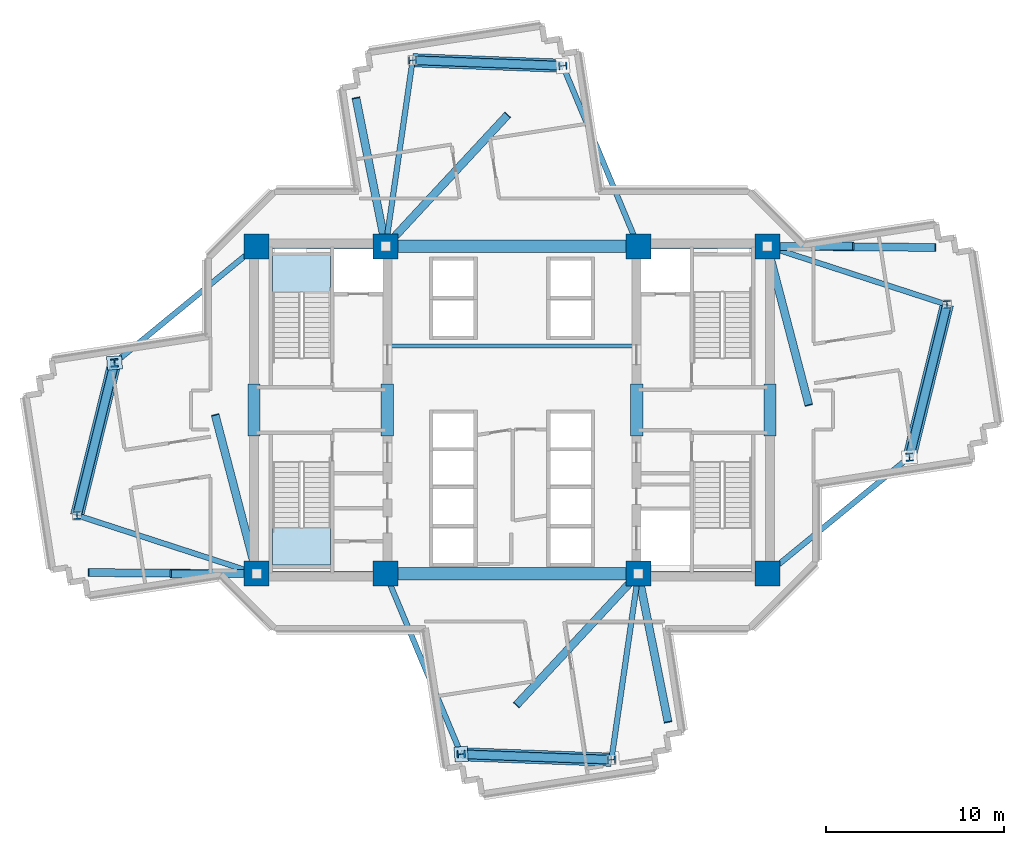
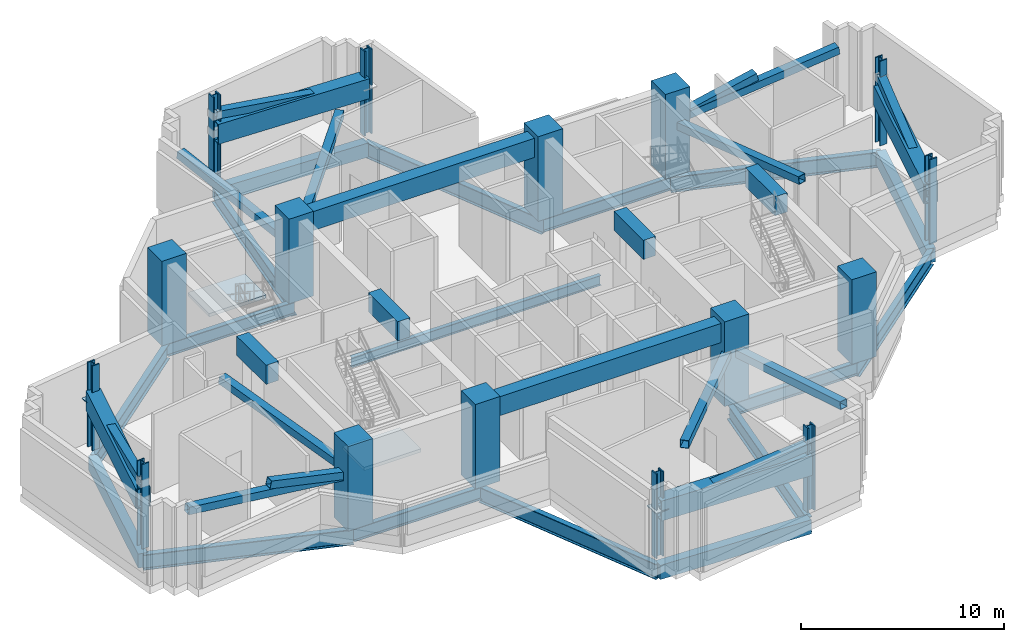
# One storey, part 1 of 10: 23 beams, 18 members, 16 columns, 2 plates, 2 slabs, 2 elements without a shape of their own.
"""IFC4 building model written with IfcOpenShell, lengths in metres."""

from ifc_helpers import new_model, si_unit, direction, frame, origin, origin_2d, place, context, subcontext, project, spatial, polyline, rectangle, hollow_rectangle, i_section, outline, extrude, source, transform, mapped, material, layer, layer_set, material_profile, profile_set, type_object, element, aggregate, save


model = new_model("IFC4")

# Units and contexts
model_context = context("Model", 3, precision=1e-05, world=origin(), true_north=direction((0.0, 1.0)))
body_context = subcontext(model_context, "Body", "Model", "MODEL_VIEW")
ifc_project = project(units=[si_unit("LENGTHUNIT", "METRE"), si_unit("AREAUNIT", "SQUARE_METRE"), si_unit("VOLUMEUNIT", "CUBIC_METRE"), si_unit("PLANEANGLEUNIT", "RADIAN"), si_unit("MASSUNIT", "GRAM", prefix="KILO")], contexts=[model_context])

# Site, building, storey
site_placement = place(None, origin())
site = spatial("IfcSite", under=ifc_project, at=site_placement, CompositionType="ELEMENT")
building_placement = place(site_placement, origin())
building = spatial("IfcBuilding", under=site, at=building_placement, Name="Zahravan Cultural Tower", CompositionType="ELEMENT")
storey_placement = place(building_placement, frame((0.0, 0.0, 125.699951171875)))
storey = spatial("IfcBuildingStorey", under=building, at=storey_placement, Name="L28", CompositionType="ELEMENT", Elevation=125.699951171875)

# Columns
ifc_material_1 = material(Name="Concrete C60/75", Category="concrete")
ifc_material_profile_1 = material_profile(ifc_material_1, rectangle(XDim=1.39990234375, YDim=1.39990234375, at=origin_2d()), Name="RC1400X1400")
ifc_profile_set_1 = profile_set([ifc_material_profile_1], Name="Concrete C60/75")
column_type_1 = type_object("IfcColumnType", Name="COL-RC1400", PredefinedType="COLUMN", material=ifc_profile_set_1)
shared_shape_1 = source(origin(), body_context, "Body", "SweptSolid", [
    extrude(rectangle(XDim=1.39990234375, YDim=1.39990234375, at=origin_2d()), origin(), (0.0, 0.0, 1.0), 5.10009765625),
])
for number, where, z_axis, x_axis, name in (
    (1, (21.64990234375, 17.800048828125, 0.0), (0.0, 0.0, 1.0), (1.0, 0.0, 0.0), "L28 Column CC-W1"),
    (2, (28.89990234375, 17.800048828125, 0.0), (0.0, 0.0, 1.0), (1.0, 0.0, 0.0), "L28 Column CC-W2"),
    (3, (21.64990234375, 36.199951171875, 0.0), (0.0, 0.0, 1.0), (1.0, 0.0, 0.0), "L28 Column CC-W3"),
    (4, (28.89990234375, 36.199951171875, 0.0), (0.0, 0.0, 1.0), (1.0, 0.0, 0.0), "L28 Column CC-W4"),
    (5, (43.10009765625, 17.800048828125, 0.0), (0.0, 0.0, 1.0), (1.0, 0.0, 0.0), "L28 Column CC-E1"),
    (6, (50.35009765625, 17.800048828125, 0.0), (0.0, 0.0, 1.0), (1.0, 0.0, 0.0), "L28 Column CC-E2"),
    (7, (43.10009765625, 36.199951171875, 0.0), (0.0, 0.0, 1.0), (1.0, 0.0, 0.0), "L28 Column CC-E3"),
    (8, (50.35009765625, 36.199951171875, 0.0), (0.0, 0.0, 1.0), (1.0, 0.0, 0.0), "L28 Column CC-E4"),
):
    element("IfcColumn", number, at=place(storey_placement, frame(where, z_axis=z_axis, x_axis=x_axis)), inside=storey, type_object=column_type_1, Name=name, PredefinedType="COLUMN", context=body_context, shape_type="MappedRepresentation", body=[
        mapped(shared_shape_1, transform((0.0, 0.0, 0.0), x_axis=(1.0, 0.0, 0.0), y_axis=(0.0, 1.0, 0.0), z_axis=(0.0, 0.0, 1.0), scale=1.0)),
    ])
ifc_material_2 = material(Name="Steel ASTM A992 Grade 50", Category="steel")
ifc_material_profile_2 = material_profile(ifc_material_2, i_section(OverallWidth=0.4208984375, OverallDepth=0.465087890625, WebThickness=0.044921875, FlangeThickness=0.072509765625, FilletRadius=0.01806640625, at=origin_2d()), Name="W14X398")
ifc_profile_set_2 = profile_set([ifc_material_profile_2], Name="Steel ASTM A992 Grade 50")
column_type_2 = type_object("IfcColumnType", Name="COL-W14X398", PredefinedType="COLUMN", material=ifc_profile_set_2)
shared_shape_2 = source(origin(), body_context, "Body", "SweptSolid", [
    extrude(i_section(OverallWidth=0.4208984375, OverallDepth=0.465087890625, WebThickness=0.044921875, FlangeThickness=0.072509765625, FilletRadius=0.01806640625, at=origin_2d()), origin(), (0.0, 0.0, 1.0), 5.10009765625),
])
for number, where, z_axis, x_axis, name in (
    (9, (58.339111328125, 24.351806640625, 0.0), (0.0, 0.0, 1.0), (0.99756405026, 0.069756473744, 0.0), "L28 Column Z1C-E1"),
    (10, (60.446533203125, 32.919677734375, 0.0), (0.0, 0.0, 1.0), (0.99756405026, 0.069756473744, 0.0), "L28 Column Z1C-E2"),
    (11, (38.857421875, 46.346435546875, 0.0), (0.0, 0.0, 1.0), (-0.069756473744, 0.99756405026, 0.0), "L28 Column Z1C-N1"),
    (12, (30.4150390625, 46.658203125, 0.0), (0.0, 0.0, 1.0), (-0.069756473744, 0.99756405026, 0.0), "L28 Column Z1C-N2"),
    (13, (13.660888671875, 29.648193359375, 0.0), (0.0, 0.0, 1.0), (0.99756405026, 0.069756473744, 0.0), "L28 Column Z1C-W1"),
    (14, (11.553466796875, 21.080322265625, 0.0), (0.0, 0.0, 1.0), (0.99756405026, 0.069756473744, 0.0), "L28 Column Z1C-W2"),
    (15, (33.142578125, 7.653564453125, 0.0), (0.0, 0.0, 1.0), (-0.069756473744, 0.99756405026, 0.0), "L28 Column Z1C-S1"),
    (16, (41.5849609375, 7.341796875, 0.0), (0.0, 0.0, 1.0), (-0.069756473744, 0.99756405026, 0.0), "L28 Column Z1C-S2"),
):
    element("IfcColumn", number, at=place(storey_placement, frame(where, z_axis=z_axis, x_axis=x_axis)), inside=storey, type_object=column_type_2, Name=name, PredefinedType="COLUMN", context=body_context, shape_type="MappedRepresentation", body=[
        mapped(shared_shape_2, transform((0.0, 0.0, 0.0), x_axis=(1.0, 0.0, 0.0), y_axis=(0.0, 1.0, 0.0), z_axis=(0.0, 0.0, 1.0), scale=1.0)),
    ])

# Beams
ifc_material_3 = material(Name="Concrete C50/60", Category="concrete")
ifc_material_profile_3 = material_profile(ifc_material_3, rectangle(XDim=0.699951171875, YDim=1.14990234375, at=origin_2d()), Name="RC700X1150")
ifc_profile_set_3 = profile_set([ifc_material_profile_3], Name="Concrete C50/60")
beam_type_1 = type_object("IfcBeamType", Name="BM-LN-RC700X1150", PredefinedType="LINTEL", material=ifc_profile_set_3)
shared_shape_3 = source(origin(), body_context, "Body", "SweptSolid", [
    extrude(rectangle(XDim=0.699951171875, YDim=1.14990234375, at=origin_2d()), origin(), (0.0, 0.0, 1.0), 14.2001953125),
])
for number, where, z_axis, x_axis, name in (
    (17, (28.89990234375, 17.800048828125, 4.22509765625), (1.0, 0.0, 0.0), (0.0, 1.0, 0.0), "L28 Beam LN-L28-S"),
    (18, (28.89990234375, 36.199951171875, 4.22509765625), (1.0, 0.0, 0.0), (0.0, 1.0, 0.0), "L28 Beam LN-L28-N"),
):
    element("IfcBeam", number, at=place(storey_placement, frame(where, z_axis=z_axis, x_axis=x_axis)), inside=storey, type_object=beam_type_1, Name=name, PredefinedType="LINTEL", context=body_context, shape_type="MappedRepresentation", body=[
        mapped(shared_shape_3, transform((0.0, 0.0, 0.0), x_axis=(1.0, 0.0, 0.0), y_axis=(0.0, 1.0, 0.0), z_axis=(0.0, 0.0, 1.0), scale=1.0)),
    ])
shared_shape_4 = source(origin(), body_context, "Body", "SweptSolid", [
    extrude(rectangle(XDim=0.699951171875, YDim=1.14990234375, at=origin_2d()), origin(), (0.0, 0.0, 1.0), 2.89990234375),
])
for number, where, z_axis, x_axis, name in (
    (19, (21.5, 25.550048828125, 4.22509765625), (0.0, 1.0, 0.0), (-1.0, 0.0, 0.0), "L28 Beam LN-L28-PWW"),
    (20, (29.0, 25.550048828125, 4.22509765625), (0.0, 1.0, 0.0), (-1.0, 0.0, 0.0), "L28 Beam LN-L28-PWE"),
    (21, (43.0, 25.550048828125, 4.22509765625), (0.0, 1.0, 0.0), (-1.0, 0.0, 0.0), "L28 Beam LN-L28-PEW"),
    (22, (50.5, 25.550048828125, 4.22509765625), (0.0, 1.0, 0.0), (-1.0, 0.0, 0.0), "L28 Beam LN-L28-PEE"),
):
    element("IfcBeam", number, at=place(storey_placement, frame(where, z_axis=z_axis, x_axis=x_axis)), inside=storey, type_object=beam_type_1, Name=name, PredefinedType="LINTEL", context=body_context, shape_type="MappedRepresentation", body=[
        mapped(shared_shape_4, transform((0.0, 0.0, 0.0), x_axis=(1.0, 0.0, 0.0), y_axis=(0.0, 1.0, 0.0), z_axis=(0.0, 0.0, 1.0), scale=1.0)),
    ])
ifc_material_profile_4 = material_profile(ifc_material_2, i_section(OverallWidth=0.26611328125, OverallDepth=0.780029296875, WebThickness=0.0166015625, FlangeThickness=0.030029296875, FilletRadius=0.01904296875, at=origin_2d()), Name="W30X148")
ifc_profile_set_4 = profile_set([ifc_material_profile_4], Name="Steel ASTM A992 Grade 50")
beam_type_2 = type_object("IfcBeamType", Name="BM-G-W30X148", PredefinedType="BEAM", material=ifc_profile_set_4)
shared_shape_5 = source(origin(), body_context, "Body", "SweptSolid", [
    extrude(i_section(OverallWidth=0.26611328125, OverallDepth=0.780029296875, WebThickness=0.0166015625, FlangeThickness=0.030029296875, FilletRadius=0.01904296875, at=origin_2d()), origin(), (0.0, 0.0, 1.0), 7.25),
])
for number, where, z_axis, x_axis, name in (
    (23, (21.64990234375, 17.800048828125, -0.83984375), (1.0, 0.0, 0.0), (0.0, 1.0, 0.0), "L28 Beam BG-L28-01"),
    (24, (21.64990234375, 36.199951171875, -0.83984375), (1.0, 0.0, 0.0), (0.0, 1.0, 0.0), "L28 Beam BG-L28-02"),
    (25, (43.10009765625, 17.800048828125, -0.83984375), (1.0, 0.0, 0.0), (0.0, 1.0, 0.0), "L28 Beam BG-L28-04"),
    (26, (43.10009765625, 36.199951171875, -0.83984375), (1.0, 0.0, 0.0), (0.0, 1.0, 0.0), "L28 Beam BG-L28-05"),
):
    element("IfcBeam", number, at=place(storey_placement, frame(where, z_axis=z_axis, x_axis=x_axis)), inside=storey, type_object=beam_type_2, Name=name, PredefinedType="BEAM", context=body_context, shape_type="MappedRepresentation", body=[
        mapped(shared_shape_5, transform((0.0, 0.0, 0.0), x_axis=(1.0, 0.0, 0.0), y_axis=(0.0, 1.0, 0.0), z_axis=(0.0, 0.0, 1.0), scale=1.0)),
    ])
ifc_material_profile_5 = material_profile(ifc_material_2, i_section(OverallWidth=0.30908203125, OverallDepth=0.931884765625, WebThickness=0.02099609375, FlangeThickness=0.034423828125, FilletRadius=0.02392578125, at=origin_2d()), Name="W36X210")
ifc_profile_set_5 = profile_set([ifc_material_profile_5], Name="Steel ASTM A992 Grade 50")
beam_type_3 = type_object("IfcBeamType", Name="BM-G-W36X210", PredefinedType="BEAM", material=ifc_profile_set_5)
shared_shape_6 = source(origin(), body_context, "Body", "SweptSolid", [
    extrude(i_section(OverallWidth=0.30908203125, OverallDepth=0.931884765625, WebThickness=0.02099609375, FlangeThickness=0.034423828125, FilletRadius=0.02392578125, at=origin_2d()), origin(), (0.0, 0.0, 1.0), 10.615966796875),
])
for number, where, z_axis, x_axis, name in (
    (27, (21.64990234375, 17.800048828125, -0.916015625), (-0.951063640083, 0.30899506875, 0.0), (-0.30899506875, -0.951063640083, 0.0), "L28 Beam BG-L28-07"),
    (28, (50.35009765625, 36.199951171875, -0.916015625), (0.951063640083, -0.30899506875, 0.0), (0.30899506875, 0.951063640083, 0.0), "L28 Beam BG-L28-11"),
):
    element("IfcBeam", number, at=place(storey_placement, frame(where, z_axis=z_axis, x_axis=x_axis)), inside=storey, type_object=beam_type_3, Name=name, PredefinedType="BEAM", context=body_context, shape_type="MappedRepresentation", body=[
        mapped(shared_shape_6, transform((0.0, 0.0, 0.0), x_axis=(1.0, 0.0, 0.0), y_axis=(0.0, 1.0, 0.0), z_axis=(0.0, 0.0, 1.0), scale=1.0)),
    ])
shared_shape_7 = source(origin(), body_context, "Body", "SweptSolid", [
    extrude(i_section(OverallWidth=0.30908203125, OverallDepth=0.931884765625, WebThickness=0.02099609375, FlangeThickness=0.034423828125, FilletRadius=0.02392578125, at=origin_2d()), origin(), (0.0, 0.0, 1.0), 10.997802734375),
])
for number, where, z_axis, x_axis, name in (
    (29, (28.89990234375, 17.800048828125, -0.916015625), (0.385775211449, -0.922592806297, 0.0), (0.922592806297, 0.385775211449, 0.0), "L28 Beam BG-L28-08"),
    (30, (43.10009765625, 36.199951171875, -0.916015625), (-0.385775211449, 0.922592806297, 0.0), (-0.922592806297, -0.385775211449, 0.0), "L28 Beam BG-L28-12"),
):
    element("IfcBeam", number, at=place(storey_placement, frame(where, z_axis=z_axis, x_axis=x_axis)), inside=storey, type_object=beam_type_3, Name=name, PredefinedType="BEAM", context=body_context, shape_type="MappedRepresentation", body=[
        mapped(shared_shape_7, transform((0.0, 0.0, 0.0), x_axis=(1.0, 0.0, 0.0), y_axis=(0.0, 1.0, 0.0), z_axis=(0.0, 0.0, 1.0), scale=1.0)),
    ])
shared_shape_8 = source(origin(), body_context, "Body", "SweptSolid", [
    extrude(i_section(OverallWidth=0.30908203125, OverallDepth=0.931884765625, WebThickness=0.02099609375, FlangeThickness=0.034423828125, FilletRadius=0.02392578125, at=origin_2d()), origin(), (0.0, 0.0, 1.0), 10.5673828125),
])
for number, where, z_axis, x_axis, name in (
    (31, (43.10009765625, 17.800048828125, -0.916015625), (-0.143377913539, -0.989668011966, 0.0), (0.989668011966, -0.143377913539, 0.0), "L28 Beam BG-L28-09"),
    (32, (28.89990234375, 36.199951171875, -0.916015625), (0.143377913539, 0.989668011966, 0.0), (-0.989668011966, 0.143377913539, 0.0), "L28 Beam BG-L28-13"),
):
    element("IfcBeam", number, at=place(storey_placement, frame(where, z_axis=z_axis, x_axis=x_axis)), inside=storey, type_object=beam_type_3, Name=name, PredefinedType="BEAM", context=body_context, shape_type="MappedRepresentation", body=[
        mapped(shared_shape_8, transform((0.0, 0.0, 0.0), x_axis=(1.0, 0.0, 0.0), y_axis=(0.0, 1.0, 0.0), z_axis=(0.0, 0.0, 1.0), scale=1.0)),
    ])
shared_shape_9 = source(origin(), body_context, "Body", "SweptSolid", [
    extrude(i_section(OverallWidth=0.30908203125, OverallDepth=0.931884765625, WebThickness=0.02099609375, FlangeThickness=0.034423828125, FilletRadius=0.02392578125, at=origin_2d()), origin(), (0.0, 0.0, 1.0), 10.33203125),
])
for number, where, z_axis, x_axis, name in (
    (33, (50.35009765625, 17.800048828125, -0.916015625), (0.773231409473, 0.634123952713, 0.0), (-0.634123952713, 0.773231409473, 0.0), "L28 Beam BG-L28-10"),
    (34, (21.64990234375, 36.199951171875, -0.916015625), (-0.773231409473, -0.634123952713, 0.0), (0.634123952713, -0.773231409473, 0.0), "L28 Beam BG-L28-14"),
):
    element("IfcBeam", number, at=place(storey_placement, frame(where, z_axis=z_axis, x_axis=x_axis)), inside=storey, type_object=beam_type_3, Name=name, PredefinedType="BEAM", context=body_context, shape_type="MappedRepresentation", body=[
        mapped(shared_shape_9, transform((0.0, 0.0, 0.0), x_axis=(1.0, 0.0, 0.0), y_axis=(0.0, 1.0, 0.0), z_axis=(0.0, 0.0, 1.0), scale=1.0)),
    ])
ifc_material_profile_6 = material_profile(ifc_material_3, rectangle(XDim=0.5, YDim=0.85009765625, at=origin_2d()), Name="RC500X850")
ifc_profile_set_6 = profile_set([ifc_material_profile_6], Name="Concrete C50/60")
beam_type_4 = type_object("IfcBeamType", Name="BM-SP-RC500X850", PredefinedType="SPANDREL", material=ifc_profile_set_6)
shared_shape_10 = source(origin(), body_context, "Body", "SweptSolid", [
    extrude(rectangle(XDim=0.5, YDim=0.85009765625, at=origin_2d()), origin(), (0.0, 0.0, 1.0), 8.4482421875),
])
for number, where, z_axis, x_axis, name in (
    (35, (33.142578125, 7.653564453125, -0.875), (0.999318826256, -0.036903705643, 0.0), (0.036903705643, 0.999318826256, 0.0), "L28 Beam SP-L28-15"),
    (36, (38.857421875, 46.346435546875, -0.875), (-0.999318826256, 0.036903705643, 0.0), (-0.036903705643, -0.999318826256, 0.0), "L28 Beam SP-L28-17"),
):
    element("IfcBeam", number, at=place(storey_placement, frame(where, z_axis=z_axis, x_axis=x_axis)), inside=storey, type_object=beam_type_4, Name=name, PredefinedType="SPANDREL", context=body_context, shape_type="MappedRepresentation", body=[
        mapped(shared_shape_10, transform((0.0, 0.0, 0.0), x_axis=(1.0, 0.0, 0.0), y_axis=(0.0, 1.0, 0.0), z_axis=(0.0, 0.0, 1.0), scale=1.0)),
    ])
shared_shape_11 = source(origin(), body_context, "Body", "SweptSolid", [
    extrude(rectangle(XDim=0.5, YDim=0.85009765625, at=origin_2d()), origin(), (0.0, 0.0, 1.0), 8.8232421875),
])
for number, where, z_axis, x_axis, name in (
    (37, (58.339111328125, 24.351806640625, -0.875), (0.238848860516, 0.971056755206, 0.0), (-0.971056755206, 0.238848860516, 0.0), "L28 Beam SP-L28-16"),
    (38, (13.660888671875, 29.648193359375, -0.875), (-0.238848860516, -0.971056755206, 0.0), (0.971056755206, -0.238848860516, 0.0), "L28 Beam SP-L28-18"),
):
    element("IfcBeam", number, at=place(storey_placement, frame(where, z_axis=z_axis, x_axis=x_axis)), inside=storey, type_object=beam_type_4, Name=name, PredefinedType="SPANDREL", context=body_context, shape_type="MappedRepresentation", body=[
        mapped(shared_shape_11, transform((0.0, 0.0, 0.0), x_axis=(1.0, 0.0, 0.0), y_axis=(0.0, 1.0, 0.0), z_axis=(0.0, 0.0, 1.0), scale=1.0)),
    ])
ifc_material_profile_7 = material_profile(ifc_material_2, i_section(OverallWidth=0.22802734375, OverallDepth=0.60302734375, WebThickness=0.010498046875, FlangeThickness=0.014892578125, FilletRadius=0.014892578125, at=origin_2d()), Name="W24X68")
ifc_profile_set_7 = profile_set([ifc_material_profile_7], Name="Steel ASTM A992 Grade 50")
beam_type_5 = type_object("IfcBeamType", Name="BM-J-W24X68", PredefinedType="JOIST", material=ifc_profile_set_7)
shared_shape_12 = source(origin(), body_context, "Body", "SweptSolid", [
    extrude(i_section(OverallWidth=0.22802734375, OverallDepth=0.60302734375, WebThickness=0.010498046875, FlangeThickness=0.014892578125, FilletRadius=0.014892578125, at=origin_2d()), origin(), (0.0, 0.0, 1.0), 14.2001953125),
])
beam_placement = place(storey_placement, frame((28.89990234375, 30.60009765625, -0.75146484375), z_axis=(1.0, 0.0, 0.0), x_axis=(0.0, 1.0, 0.0)))
element("IfcBeam", 39, at=beam_placement, inside=storey, type_object=beam_type_5, Name="L28 Beam BJ-L28-19", PredefinedType="JOIST", context=body_context, shape_type="MappedRepresentation", body=[
    mapped(shared_shape_12, transform((0.0, 0.0, 0.0), x_axis=(1.0, 0.0, 0.0), y_axis=(0.0, 1.0, 0.0), z_axis=(0.0, 0.0, 1.0), scale=1.0)),
])

# Members
ifc_material_4 = material(Name="Steel ASTM A572 Grade 50", Category="steel")
ifc_material_profile_8 = material_profile(ifc_material_4, hollow_rectangle(XDim=0.449951171875, YDim=0.449951171875, WallThickness=0.02197265625, at=origin_2d()), Name="HSS450X450X22")
ifc_profile_set_8 = profile_set([ifc_material_profile_8], Name="Steel ASTM A572 Grade 50")
member_type_1 = type_object("IfcMemberType", Name="MB-BR-HSS450", PredefinedType="BRACE", material=ifc_profile_set_8)
shared_shape_13 = source(origin(), body_context, "Body", "SweptSolid", [
    extrude(hollow_rectangle(XDim=0.449951171875, YDim=0.449951171875, WallThickness=0.02197265625, at=origin_2d()), origin(), (0.0, 0.0, 1.0), 8.51318359375),
])
for number, where, z_axis, x_axis, name in (
    (40, (33.142578125, 7.653564453125, 2.900146484375), (0.991691458031, -0.036622035625, 0.123316173208), (0.036903705643, 0.999318826256, 0.0), "L28 Belt Truss Diagonal 01"),
    (41, (38.857421875, 46.346435546875, 2.900146484375), (-0.991691458031, 0.036622035625, 0.123316173208), (-0.036903705643, -0.999318826256, 0.0), "L28 Belt Truss Diagonal 03"),
):
    element("IfcMember", number, at=place(storey_placement, frame(where, z_axis=z_axis, x_axis=x_axis)), inside=storey, type_object=member_type_1, Name=name, PredefinedType="BRACE", context=body_context, shape_type="MappedRepresentation", body=[
        mapped(shared_shape_13, transform((0.0, 0.0, 0.0), x_axis=(1.0, 0.0, 0.0), y_axis=(0.0, 1.0, 0.0), z_axis=(0.0, 0.0, 1.0), scale=1.0)),
    ])
ifc_material_profile_9 = material_profile(ifc_material_4, hollow_rectangle(XDim=0.75, YDim=1.199951171875, WallThickness=0.050048828125, at=origin_2d()), Name="BOX1200X750X50")
ifc_profile_set_9 = profile_set([ifc_material_profile_9], Name="Steel ASTM A572 Grade 50")
member_type_2 = type_object("IfcMemberType", Name="MB-CH-BOX1200", PredefinedType="CHORD", material=ifc_profile_set_9)
shared_shape_14 = source(origin(), body_context, "Body", "SweptSolid", [
    extrude(hollow_rectangle(XDim=0.75, YDim=1.199951171875, WallThickness=0.050048828125, at=origin_2d()), origin(), (0.0, 0.0, 1.0), 8.4482421875),
])
for number, where, z_axis, x_axis, name in (
    (42, (33.142578125, 7.653564453125, 2.900146484375), (0.999318826256, -0.036903705643, 0.0), (0.036903705643, 0.999318826256, 0.0), "L28 Belt Truss Bottom Chord 01"),
    (43, (38.857421875, 46.346435546875, 2.900146484375), (-0.999318826256, 0.036903705643, 0.0), (-0.036903705643, -0.999318826256, 0.0), "L28 Belt Truss Bottom Chord 03"),
):
    element("IfcMember", number, at=place(storey_placement, frame(where, z_axis=z_axis, x_axis=x_axis)), inside=storey, type_object=member_type_2, Name=name, PredefinedType="CHORD", context=body_context, shape_type="MappedRepresentation", body=[
        mapped(shared_shape_14, transform((0.0, 0.0, 0.0), x_axis=(1.0, 0.0, 0.0), y_axis=(0.0, 1.0, 0.0), z_axis=(0.0, 0.0, 1.0), scale=1.0)),
    ])
shared_shape_15 = source(origin(), body_context, "Body", "SweptSolid", [
    extrude(hollow_rectangle(XDim=0.449951171875, YDim=0.449951171875, WallThickness=0.02197265625, at=origin_2d()), origin(), (0.0, 0.0, 1.0), 8.885498046875),
])
for number, where, z_axis, x_axis, name in (
    (44, (58.339111328125, 24.351806640625, 2.900146484375), (0.237175952314, 0.964255429854, 0.118148354373), (-0.971056755206, 0.238848860516, 0.0), "L28 Belt Truss Diagonal 02"),
    (45, (13.660888671875, 29.648193359375, 2.900146484375), (-0.237175952314, -0.964255429854, 0.118148354373), (0.971056755206, -0.238848860516, 0.0), "L28 Belt Truss Diagonal 04"),
):
    element("IfcMember", number, at=place(storey_placement, frame(where, z_axis=z_axis, x_axis=x_axis)), inside=storey, type_object=member_type_1, Name=name, PredefinedType="BRACE", context=body_context, shape_type="MappedRepresentation", body=[
        mapped(shared_shape_15, transform((0.0, 0.0, 0.0), x_axis=(1.0, 0.0, 0.0), y_axis=(0.0, 1.0, 0.0), z_axis=(0.0, 0.0, 1.0), scale=1.0)),
    ])
shared_shape_16 = source(origin(), body_context, "Body", "SweptSolid", [
    extrude(hollow_rectangle(XDim=0.75, YDim=1.199951171875, WallThickness=0.050048828125, at=origin_2d()), origin(), (0.0, 0.0, 1.0), 8.8232421875),
])
for number, where, z_axis, x_axis, name in (
    (46, (58.339111328125, 24.351806640625, 2.900146484375), (0.238848860516, 0.971056755206, 0.0), (-0.971056755206, 0.238848860516, 0.0), "L28 Belt Truss Bottom Chord 02"),
    (47, (13.660888671875, 29.648193359375, 2.900146484375), (-0.238848860516, -0.971056755206, 0.0), (0.971056755206, -0.238848860516, 0.0), "L28 Belt Truss Bottom Chord 04"),
):
    element("IfcMember", number, at=place(storey_placement, frame(where, z_axis=z_axis, x_axis=x_axis)), inside=storey, type_object=member_type_2, Name=name, PredefinedType="CHORD", context=body_context, shape_type="MappedRepresentation", body=[
        mapped(shared_shape_16, transform((0.0, 0.0, 0.0), x_axis=(1.0, 0.0, 0.0), y_axis=(0.0, 1.0, 0.0), z_axis=(0.0, 0.0, 1.0), scale=1.0)),
    ])
shared_shape_17 = source(origin(), body_context, "Body", "SweptSolid", [
    extrude(hollow_rectangle(XDim=0.449951171875, YDim=0.449951171875, WallThickness=0.02197265625, at=origin_2d()), origin(), (0.0, 0.0, 1.0), 9.28857421875),
])
for number, where, z_axis, x_axis, name in (
    (48, (50.35009765625, 36.199951171875, 2.900146484375), (0.251302017209, -0.961287383681, 0.113021511766), (0.967486513682, 0.252922608408, 0.0), "L28 Outrigger Diagonal 05"),
    (49, (21.64990234375, 17.800048828125, 2.900146484375), (-0.251302017209, 0.961287383681, 0.113021511766), (-0.967486513682, -0.252922608408, 0.0), "L28 Outrigger Diagonal 09"),
):
    element("IfcMember", number, at=place(storey_placement, frame(where, z_axis=z_axis, x_axis=x_axis)), inside=storey, type_object=member_type_1, Name=name, PredefinedType="BRACE", context=body_context, shape_type="MappedRepresentation", body=[
        mapped(shared_shape_17, transform((0.0, 0.0, 0.0), x_axis=(1.0, 0.0, 0.0), y_axis=(0.0, 1.0, 0.0), z_axis=(0.0, 0.0, 1.0), scale=1.0)),
    ])
shared_shape_18 = source(origin(), body_context, "Body", "SweptSolid", [
    extrude(hollow_rectangle(XDim=0.449951171875, YDim=0.449951171875, WallThickness=0.02197265625, at=origin_2d()), origin(), (0.0, 0.0, 1.0), 4.947265625),
])
for number, where, z_axis, x_axis, name in (
    (50, (50.35009765625, 36.199951171875, 2.900146484375), (0.977226809881, 0.001233685313, 0.212193873781), (-0.001262433979, 0.99999920313, 0.0), "L28 Outrigger Diagonal 06"),
    (51, (21.64990234375, 17.800048828125, 2.900146484375), (-0.977226809881, -0.001233685313, 0.212193873781), (0.001262433979, -0.99999920313, 0.0), "L28 Outrigger Diagonal 10"),
):
    element("IfcMember", number, at=place(storey_placement, frame(where, z_axis=z_axis, x_axis=x_axis)), inside=storey, type_object=member_type_1, Name=name, PredefinedType="BRACE", context=body_context, shape_type="MappedRepresentation", body=[
        mapped(shared_shape_18, transform((0.0, 0.0, 0.0), x_axis=(1.0, 0.0, 0.0), y_axis=(0.0, 1.0, 0.0), z_axis=(0.0, 0.0, 1.0), scale=1.0)),
    ])
shared_shape_19 = source(origin(), body_context, "Body", "SweptSolid", [
    extrude(hollow_rectangle(XDim=0.449951171875, YDim=0.449951171875, WallThickness=0.02197265625, at=origin_2d()), origin(), (0.0, 0.0, 1.0), 10.132568359375),
])
for number, where, z_axis, x_axis, name in (
    (52, (28.89990234375, 36.199951171875, 2.900146484375), (0.676509923759, 0.729108889587, 0.10360767433), (-0.733054007938, 0.680170435587, 0.0), "L28 Outrigger Diagonal 07"),
    (53, (43.10009765625, 17.800048828125, 2.900146484375), (-0.676509923759, -0.729108889587, 0.10360767433), (0.733054007938, -0.680170435587, 0.0), "L28 Outrigger Diagonal 11"),
):
    element("IfcMember", number, at=place(storey_placement, frame(where, z_axis=z_axis, x_axis=x_axis)), inside=storey, type_object=member_type_1, Name=name, PredefinedType="BRACE", context=body_context, shape_type="MappedRepresentation", body=[
        mapped(shared_shape_19, transform((0.0, 0.0, 0.0), x_axis=(1.0, 0.0, 0.0), y_axis=(0.0, 1.0, 0.0), z_axis=(0.0, 0.0, 1.0), scale=1.0)),
    ])
shared_shape_20 = source(origin(), body_context, "Body", "SweptSolid", [
    extrude(hollow_rectangle(XDim=0.449951171875, YDim=0.449951171875, WallThickness=0.02197265625, at=origin_2d()), origin(), (0.0, 0.0, 1.0), 8.57177734375),
])
for number, where, z_axis, x_axis, name in (
    (54, (28.89990234375, 36.199951171875, 2.900146484375), (-0.195045052012, 0.973117588645, 0.12247279843), (-0.980498911469, -0.196524514012, 0.0), "L28 Outrigger Diagonal 08"),
    (55, (43.10009765625, 17.800048828125, 2.900146484375), (0.195045052012, -0.973117588645, 0.12247279843), (0.980498911469, 0.196524514012, 0.0), "L28 Outrigger Diagonal 12"),
):
    element("IfcMember", number, at=place(storey_placement, frame(where, z_axis=z_axis, x_axis=x_axis)), inside=storey, type_object=member_type_1, Name=name, PredefinedType="BRACE", context=body_context, shape_type="MappedRepresentation", body=[
        mapped(shared_shape_20, transform((0.0, 0.0, 0.0), x_axis=(1.0, 0.0, 0.0), y_axis=(0.0, 1.0, 0.0), z_axis=(0.0, 0.0, 1.0), scale=1.0)),
    ])
shared_shape_21 = source(origin(), body_context, "Body", "SweptSolid", [
    extrude(hollow_rectangle(XDim=0.449951171875, YDim=0.449951171875, WallThickness=0.02197265625, at=origin_2d()), origin(), (0.0, 0.0, 1.0), 9.514892578125),
])
for number, where, z_axis, x_axis, name in (
    (56, (50.35009765625, 36.199951171875, 2.900146484375), (0.993872759193, -0.006594343448, 0.110333372864), (0.006634851634, 0.99997798913, 0.0), "L28 Outrigger Diagonal 13"),
    (57, (21.64990234375, 17.800048828125, 2.900146484375), (-0.993872759193, 0.006594343448, 0.110333372864), (-0.006634851634, -0.99997798913, 0.0), "L28 Outrigger Diagonal 14"),
):
    element("IfcMember", number, at=place(storey_placement, frame(where, z_axis=z_axis, x_axis=x_axis)), inside=storey, type_object=member_type_1, Name=name, PredefinedType="BRACE", context=body_context, shape_type="MappedRepresentation", body=[
        mapped(shared_shape_21, transform((0.0, 0.0, 0.0), x_axis=(1.0, 0.0, 0.0), y_axis=(0.0, 1.0, 0.0), z_axis=(0.0, 0.0, 1.0), scale=1.0)),
    ])

# Stair, slab
ifc_material_5 = material(Name="Concrete C45/55", Category="concrete")
stair_type = type_object("IfcStairType", Name="STR-DL-1550-510", PredefinedType="HALF_TURN_STAIR", material=ifc_material_5)
stair_1_placement = place(storey_placement, origin())
stair_1 = element("IfcStair", 58, at=stair_1_placement, inside=storey, type_object=stair_type, Name="L28 West Core North Exit Stair ST-W1", PredefinedType="HALF_TURN_STAIR")
ifc_layer_1 = layer(ifc_material_5, 0.199951171875)
ifc_layer_set_1 = layer_set([ifc_layer_1], Name="Concrete C45/55")
slab_type = type_object("IfcSlabType", Name="SL-STAIR-LND200", PredefinedType="LANDING", material=ifc_layer_set_1)
slab_1_placement = place(storey_placement, frame((0.0, 0.0, 2.35009765625)))
slab_1 = element("IfcSlab", 59, at=slab_1_placement, type_object=slab_type, Name="ST-W1 landing 1", PredefinedType="LANDING", context=body_context, shape_type="SweptSolid", body=[
    extrude(outline(polyline([(25.800048828125, 33.590087890625), (25.800048828125, 35.699951171875), (22.550048828125, 35.699951171875), (22.550048828125, 33.590087890625), (25.800048828125, 33.590087890625)])), origin(), (0.0, 0.0, 1.0), 0.199951171875),
])
aggregate(stair_1, [slab_1])

stair_2_placement = place(storey_placement, origin())
stair_2 = element("IfcStair", 60, at=stair_2_placement, inside=storey, type_object=stair_type, Name="L28 West Core South Exit Stair ST-W2", PredefinedType="HALF_TURN_STAIR")
slab_2_placement = place(storey_placement, frame((0.0, 0.0, 2.35009765625)))
slab_2 = element("IfcSlab", 61, at=slab_2_placement, type_object=slab_type, Name="ST-W2 landing 1", PredefinedType="LANDING", context=body_context, shape_type="SweptSolid", body=[
    extrude(outline(polyline([(22.550048828125, 20.409912109375), (22.550048828125, 18.300048828125), (25.800048828125, 18.300048828125), (25.800048828125, 20.409912109375), (22.550048828125, 20.409912109375)])), origin(), (0.0, 0.0, 1.0), 0.199951171875),
])
aggregate(stair_2, [slab_2])

# Plates
ifc_layer_2 = layer(ifc_material_4, 0.044921875)
ifc_layer_set_2 = layer_set([ifc_layer_2], Name="Steel ASTM A572 Grade 50")
plate_type = type_object("IfcPlateType", Name="PL-NODE-45", PredefinedType="SHEET", material=ifc_layer_set_2)
shared_shape_22 = source(origin(), body_context, "Body", "SweptSolid", [
    extrude(rectangle(XDim=0.85009765625, YDim=0.75, at=origin_2d()), origin(), (0.0, 0.0, 1.0), 0.044921875),
])
for number, where, z_axis, x_axis, name in (
    (62, (33.142578125, 7.653564453125, 2.877685546875), (0.0, 0.0, 1.0), (-0.069756473744, 0.99756405026, 0.0), "L28 Belt Node Cap Plate BN1"),
    (63, (13.660888671875, 29.648193359375, 2.877685546875), (0.0, 0.0, 1.0), (0.99756405026, 0.069756473744, 0.0), "L28 Belt Node Cap Plate BN1"),
):
    element("IfcPlate", number, at=place(storey_placement, frame(where, z_axis=z_axis, x_axis=x_axis)), inside=storey, type_object=plate_type, Name=name, PredefinedType="SHEET", context=body_context, shape_type="MappedRepresentation", body=[
        mapped(shared_shape_22, transform((0.0, 0.0, 0.0), x_axis=(1.0, 0.0, 0.0), y_axis=(0.0, 1.0, 0.0), z_axis=(0.0, 0.0, 1.0), scale=1.0)),
    ])

save(model, "model.ifc")
